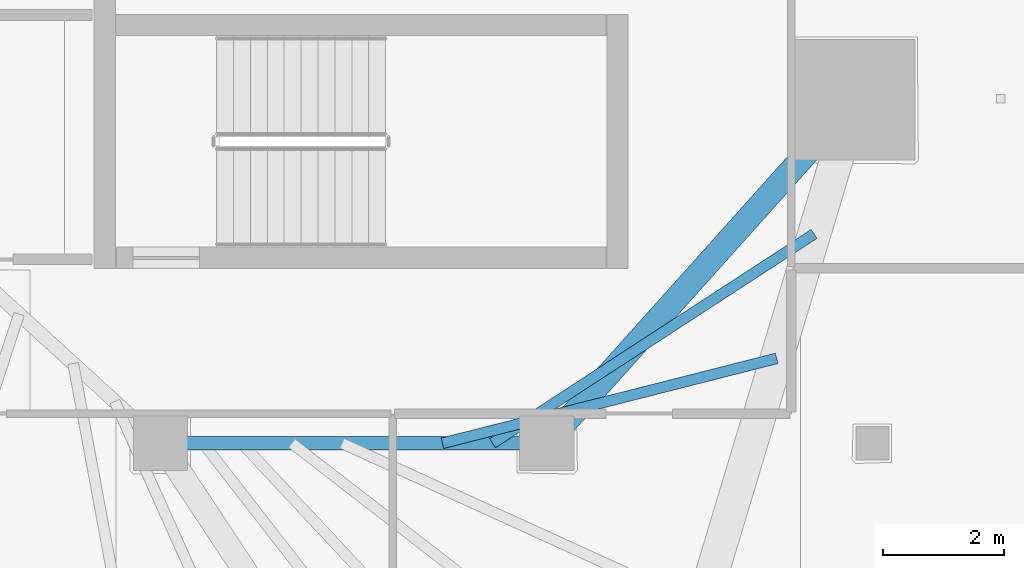
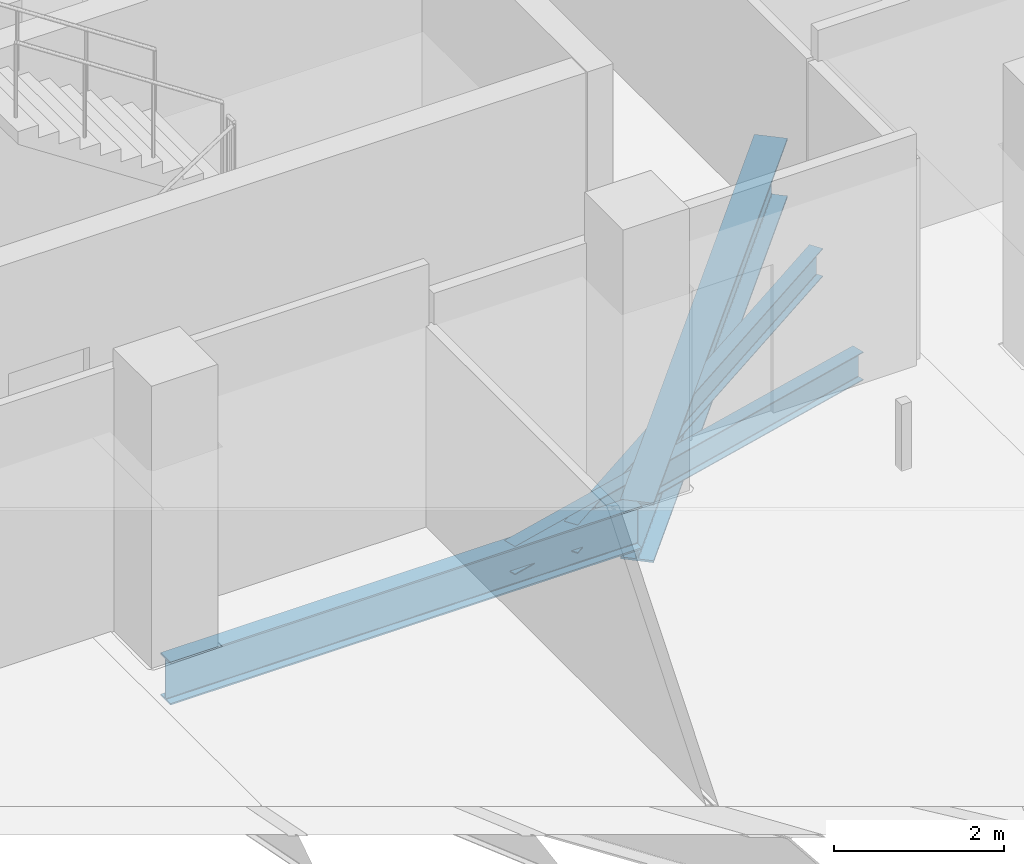
# One storey, part 12 of 36: 4 beams.
"""IFC4 building model written with IfcOpenShell, lengths in metres."""

from ifc_helpers import new_model, si_unit, direction, frame, origin, origin_2d, place, context, subcontext, project, spatial, i_section, extrude, material, material_profile, profile_set, type_object, element, save


model = new_model("IFC4")

# Units and contexts
model_context = context("Model", 3, precision=1e-05, world=origin(), true_north=direction((0.0, 1.0)))
body_context = subcontext(model_context, "Body", "Model", "MODEL_VIEW")
ifc_project = project(units=[si_unit("LENGTHUNIT", "METRE"), si_unit("AREAUNIT", "SQUARE_METRE"), si_unit("VOLUMEUNIT", "CUBIC_METRE"), si_unit("PLANEANGLEUNIT", "RADIAN"), si_unit("MASSUNIT", "GRAM", prefix="KILO")], contexts=[model_context])

# Site, building, storey
site_placement = place(None, origin())
site = spatial("IfcSite", under=ifc_project, at=site_placement, CompositionType="ELEMENT")
building_placement = place(site_placement, origin())
building = spatial("IfcBuilding", under=site, at=building_placement, Name="Qorvath Tower", CompositionType="ELEMENT")
storey_placement = place(building_placement, frame((0.0, 0.0, 205.050048828125)))
storey = spatial("IfcBuildingStorey", under=building, at=storey_placement, Name="L47", CompositionType="ELEMENT", Elevation=205.050048828125)

# Beams
ifc_material_1 = material(Name="Steel ASTM A992 Grade 50", Category="steel")
ifc_material_profile_1 = material_profile(ifc_material_1, i_section(OverallWidth=0.39892578125, OverallDepth=0.85498046875, WebThickness=0.018310546875, FlangeThickness=0.029296875, FilletRadius=0.02001953125, at=origin_2d()), Name="W33x201")
ifc_profile_set_1 = profile_set([ifc_material_profile_1], Name="Steel ASTM A992 Grade 50")
beam_type_1 = type_object("IfcBeamType", Name="BM-FG2", PredefinedType="BEAM", material=ifc_profile_set_1)
beam_1_placement = place(storey_placement, frame((-17.199951171875, -11.449951171875, -0.697509765625), z_axis=(0.667543184261, 0.744571082669, 0.0), x_axis=(-0.744571082669, 0.667543184261, 0.0)))
element("IfcBeam", 1, at=beam_1_placement, inside=storey, type_object=beam_type_1, Name="Radial Floor Girder CC3-MC4 L47", PredefinedType="BEAM", context=body_context, shape_type="SweptSolid", body=[
    extrude(i_section(OverallWidth=0.39892578125, OverallDepth=0.85498046875, WebThickness=0.018310546875, FlangeThickness=0.029296875, FilletRadius=0.02001953125, at=origin_2d()), origin(), (0.0, 0.0, 1.0), 7.644775390625),
])
ifc_material_2 = material(Name="Steel ASTM A992 Grade 50", Category="steel")
ifc_material_profile_2 = material_profile(ifc_material_2, i_section(OverallWidth=0.22998046875, OverallDepth=0.616943359375, WebThickness=0.01318359375, FlangeThickness=0.022216796875, FilletRadius=0.014892578125, at=origin_2d()), Name="W24x94")
ifc_profile_set_2 = profile_set([ifc_material_profile_2], Name="Steel ASTM A992 Grade 50")
beam_type_2 = type_object("IfcBeamType", Name="BM-FG6", PredefinedType="BEAM", material=ifc_profile_set_2)
beam_2_placement = place(storey_placement, frame((-17.199951171875, -11.449951171875, -0.57861328125), z_axis=(-1.0, 0.0, 0.0), x_axis=(0.0, -1.0, 0.0)))
element("IfcBeam", 2, at=beam_2_placement, inside=storey, type_object=beam_type_2, Name="Core Ring Girder CC3-CC4 L47", PredefinedType="BEAM", context=body_context, shape_type="SweptSolid", body=[
    extrude(i_section(OverallWidth=0.22998046875, OverallDepth=0.616943359375, WebThickness=0.01318359375, FlangeThickness=0.022216796875, FilletRadius=0.014892578125, at=origin_2d()), origin(), (0.0, 0.0, 1.0), 6.400146484375),
])
ifc_material_3 = material(Name="Steel ASTM A992 Grade 50", Category="steel")
ifc_material_profile_3 = material_profile(ifc_material_3, i_section(OverallWidth=0.177978515625, OverallDepth=0.406005859375, WebThickness=0.0078125, FlangeThickness=0.0126953125, FilletRadius=0.010986328125, at=origin_2d()), Name="W16x40")
ifc_profile_set_3 = profile_set([ifc_material_profile_3], Name="Steel ASTM A992 Grade 50")
beam_type_3 = type_object("IfcBeamType", Name="BM-FJ3", PredefinedType="JOIST", material=ifc_profile_set_3)
beam_3_placement = place(storey_placement, frame((-18.095947265625, -11.449951171875, -0.47314453125), z_axis=(0.838041756057, 0.545606098853, 0.0), x_axis=(-0.545606098853, 0.838041756057, 0.0)))
element("IfcBeam", 3, at=beam_3_placement, inside=storey, type_object=beam_type_3, Name="Composite Floor Joist SE1 L47", PredefinedType="JOIST", context=body_context, shape_type="SweptSolid", body=[
    extrude(i_section(OverallWidth=0.177978515625, OverallDepth=0.406005859375, WebThickness=0.0078125, FlangeThickness=0.0126953125, FilletRadius=0.010986328125, at=origin_2d()), origin(), (0.0, 0.0, 1.0), 6.36083984375),
])
beam_4_placement = place(storey_placement, frame((-18.927978515625, -11.449951171875, -0.47314453125), z_axis=(0.969231577698, 0.246150662794, 0.0), x_axis=(-0.246150662794, 0.969231577698, 0.0)))
element("IfcBeam", 4, at=beam_4_placement, inside=storey, type_object=beam_type_3, Name="Composite Floor Joist SE2 L47", PredefinedType="JOIST", context=body_context, shape_type="SweptSolid", body=[
    extrude(i_section(OverallWidth=0.177978515625, OverallDepth=0.406005859375, WebThickness=0.0078125, FlangeThickness=0.0126953125, FilletRadius=0.010986328125, at=origin_2d()), origin(), (0.0, 0.0, 1.0), 5.718017578125),
])

save(model, "model.ifc")
